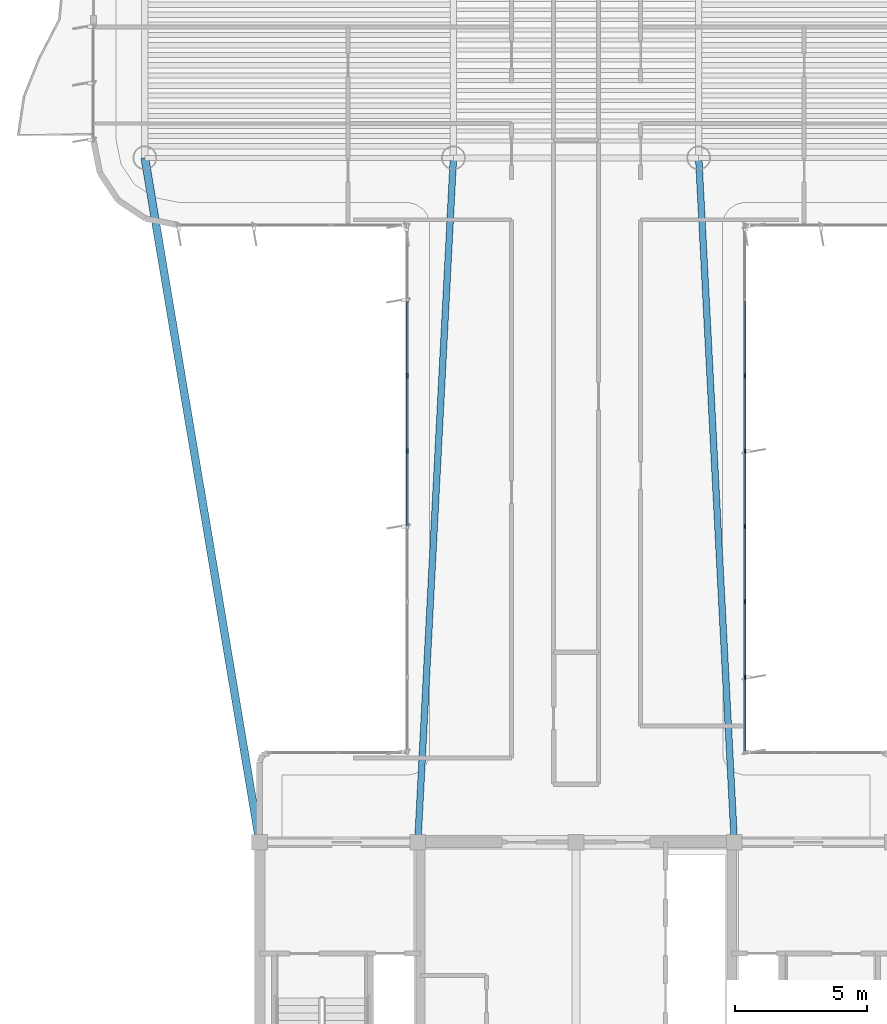
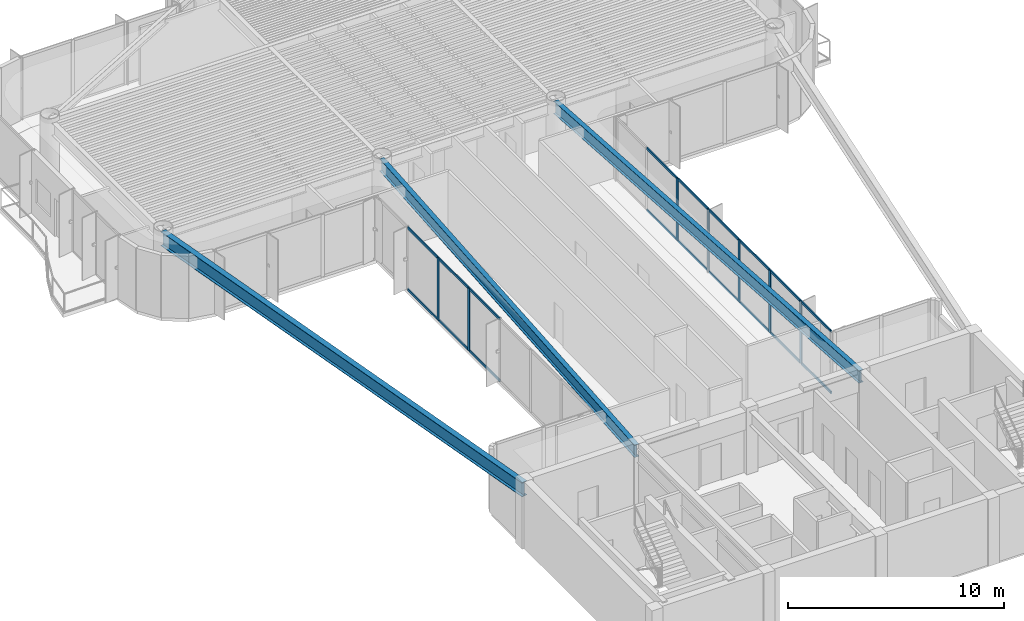
# One storey, part 3 of 15: 25 members, 3 beams, 2 elements without a shape of their own.
"""IFC4 building model written with IfcOpenShell, lengths in metres."""

from ifc_helpers import new_model, si_unit, direction, frame, origin, origin_2d, place, context, subcontext, project, spatial, rectangle, i_section, extrude, source, transform, mapped, material, layer, layer_set, material_profile, profile_set, type_object, element, aggregate, save


model = new_model("IFC4")

# Units and contexts
model_context = context("Model", 3, precision=1e-05, world=origin(), true_north=direction((0.0, 1.0)))
body_context = subcontext(model_context, "Body", "Model", "MODEL_VIEW")
ifc_project = project(units=[si_unit("LENGTHUNIT", "METRE"), si_unit("AREAUNIT", "SQUARE_METRE"), si_unit("VOLUMEUNIT", "CUBIC_METRE"), si_unit("PLANEANGLEUNIT", "RADIAN"), si_unit("MASSUNIT", "GRAM", prefix="KILO")], contexts=[model_context])

# Site, building, storey
site_placement = place(None, origin())
site = spatial("IfcSite", under=ifc_project, at=site_placement, CompositionType="ELEMENT")
building_placement = place(site_placement, origin())
building = spatial("IfcBuilding", under=site, at=building_placement, Name="Brelvock Crest Care Tower", CompositionType="ELEMENT")
storey_placement = place(building_placement, frame((0.0, 0.0, 245.699951171875)))
storey = spatial("IfcBuildingStorey", under=building, at=storey_placement, Name="L62", CompositionType="ELEMENT", Elevation=245.699951171875)

# Beams
ifc_material_1 = material(Name="Steel Grade 350", Category="steel")
ifc_material_profile_1 = material_profile(ifc_material_1, i_section(OverallWidth=0.25, OverallDepth=0.699951171875, WebThickness=0.011962890625, FlangeThickness=0.02001953125, at=origin_2d()), Name="700WB150")
ifc_profile_set_1 = profile_set([ifc_material_profile_1], Name="Steel Grade 350")
beam_type_1 = type_object("IfcBeamType", Name="BM-G4", PredefinedType="BEAM", material=ifc_profile_set_1)
shared_shape_1 = source(origin(), body_context, "Body", "SweptSolid", [
    extrude(i_section(OverallWidth=0.25, OverallDepth=0.699951171875, WebThickness=0.011962890625, FlangeThickness=0.02001953125, at=origin_2d()), origin(), (0.0, 0.0, 1.0), 25.985107421875),
])
for number, where, z_axis, x_axis, name in (
    (1, (30.0, 18.0, 3.179931640625), (0.051956711656, 0.998649337913, 0.0), (-0.998649337913, 0.051956711656, 0.0), "BM-THRW-L62"),
    (2, (42.0, 18.0, 3.179931640625), (-0.051956711656, 0.998649337913, 0.0), (-0.998649337913, -0.051956711656, 0.0), "BM-THRE-L62"),
):
    element("IfcBeam", number, at=place(storey_placement, frame(where, z_axis=z_axis, x_axis=x_axis)), inside=storey, type_object=beam_type_1, Name=name, PredefinedType="BEAM", context=body_context, shape_type="MappedRepresentation", body=[
        mapped(shared_shape_1, transform((0.0, 0.0, 0.0), x_axis=(1.0, 0.0, 0.0), y_axis=(0.0, 1.0, 0.0), z_axis=(0.0, 0.0, 1.0), scale=1.0)),
    ])
ifc_material_profile_2 = material_profile(ifc_material_1, i_section(OverallWidth=0.300048828125, OverallDepth=0.800048828125, WebThickness=0.013916015625, FlangeThickness=0.02197265625, at=origin_2d()), Name="800WB192")
ifc_profile_set_2 = profile_set([ifc_material_profile_2], Name="Steel Grade 350")
beam_type_2 = type_object("IfcBeamType", Name="BM-G5", PredefinedType="BEAM", material=ifc_profile_set_2)
shared_shape_2 = source(origin(), body_context, "Body", "SweptSolid", [
    extrude(i_section(OverallWidth=0.300048828125, OverallDepth=0.800048828125, WebThickness=0.013916015625, FlangeThickness=0.02197265625, at=origin_2d()), origin(), (0.0, 0.0, 1.0), 26.31201171875),
])
beam_placement = place(storey_placement, frame((24.0, 18.0, 3.130126953125), z_axis=(-0.165327282709, 0.986238758918, 0.0), x_axis=(-0.986238758918, -0.165327282709, 0.0)))
element("IfcBeam", 3, at=beam_placement, inside=storey, type_object=beam_type_2, Name="BM-THRO-W-L62", PredefinedType="BEAM", context=body_context, shape_type="MappedRepresentation", body=[
    mapped(shared_shape_2, transform((0.0, 0.0, 0.0), x_axis=(1.0, 0.0, 0.0), y_axis=(0.0, 1.0, 0.0), z_axis=(0.0, 0.0, 1.0), scale=1.0)),
])

# Curtain wall, members
ifc_material_2 = material(Name="Dark Glass Double Glazed Low-E", Category="glass")
ifc_layer = layer(ifc_material_2, 0.239990234375, Name="CWS-5")
ifc_layer_set = layer_set([ifc_layer], Name="Dark Glass Double Glazed Low-E")
curtain_wall_type = type_object("IfcCurtainWallType", Name="CWS-5", PredefinedType="NOTDEFINED", material=ifc_layer_set)
curtain_wall_1_placement = place(storey_placement, origin())
curtain_wall_1 = element("IfcCurtainWall", 4, at=curtain_wall_1_placement, inside=storey, type_object=curtain_wall_type, Name="L62 Curtain Wall E11", PredefinedType="NOTDEFINED")
ifc_material_3 = material(Name="Aluminium 6063-T6", Category="aluminium")
ifc_material_profile_3 = material_profile(ifc_material_3, rectangle(XDim=0.06005859375, YDim=0.179931640625, at=origin_2d()), Name="ALU60x180")
ifc_profile_set_3 = profile_set([ifc_material_profile_3], Name="Aluminium 6063-T6")
member_type_1 = type_object("IfcMemberType", Name="CWM-2", PredefinedType="MULLION", material=ifc_profile_set_3)
shared_shape_3 = source(origin(), body_context, "Body", "SweptSolid", [
    extrude(rectangle(XDim=0.06005859375, YDim=0.179931640625, at=origin_2d()), origin(), (0.0, 0.0, 1.0), 3.530029296875),
])
member_1_placement = place(storey_placement, frame((29.60009765625, 32.82861328125, 0.0), z_axis=(0.0, 0.0, 1.0), x_axis=(-1.0, 0.0, 0.0)))
member_1 = element("IfcMember", 5, at=member_1_placement, type_object=member_type_1, Name="CW-5 mullion 5", PredefinedType="MULLION", context=body_context, shape_type="MappedRepresentation", body=[
    mapped(shared_shape_3, transform((0.0, 0.0, 0.0), x_axis=(1.0, 0.0, 0.0), y_axis=(0.0, 1.0, 0.0), z_axis=(0.0, 0.0, 1.0), scale=1.0)),
])
member_2_placement = place(storey_placement, frame((29.60009765625, 35.685791015625, 0.0), z_axis=(0.0, 0.0, 1.0), x_axis=(-1.0, 0.0, 0.0)))
member_2 = element("IfcMember", 6, at=member_2_placement, type_object=member_type_1, Name="CW-5 mullion 6", PredefinedType="MULLION", context=body_context, shape_type="MappedRepresentation", body=[
    mapped(shared_shape_3, transform((0.0, 0.0, 0.0), x_axis=(1.0, 0.0, 0.0), y_axis=(0.0, 1.0, 0.0), z_axis=(0.0, 0.0, 1.0), scale=1.0)),
])

curtain_wall_2_placement = place(storey_placement, origin())
curtain_wall_2 = element("IfcCurtainWall", 7, at=curtain_wall_2_placement, inside=storey, type_object=curtain_wall_type, Name="L62 Curtain Wall E45", PredefinedType="NOTDEFINED")
member_3_placement = place(storey_placement, frame((42.39990234375, 35.685791015625, 0.0), z_axis=(0.0, 0.0, 1.0), x_axis=(1.0, 0.0, 0.0)))
member_3 = element("IfcMember", 8, at=member_3_placement, type_object=member_type_1, Name="CW-5 mullion 3", PredefinedType="MULLION", context=body_context, shape_type="MappedRepresentation", body=[
    mapped(shared_shape_3, transform((0.0, 0.0, 0.0), x_axis=(1.0, 0.0, 0.0), y_axis=(0.0, 1.0, 0.0), z_axis=(0.0, 0.0, 1.0), scale=1.0)),
])
member_4_placement = place(storey_placement, frame((42.39990234375, 32.82861328125, 0.0), z_axis=(0.0, 0.0, 1.0), x_axis=(1.0, 0.0, 0.0)))
member_4 = element("IfcMember", 9, at=member_4_placement, type_object=member_type_1, Name="CW-5 mullion 4", PredefinedType="MULLION", context=body_context, shape_type="MappedRepresentation", body=[
    mapped(shared_shape_3, transform((0.0, 0.0, 0.0), x_axis=(1.0, 0.0, 0.0), y_axis=(0.0, 1.0, 0.0), z_axis=(0.0, 0.0, 1.0), scale=1.0)),
])
member_5_placement = place(storey_placement, frame((42.39990234375, 29.971435546875, 0.0), z_axis=(0.0, 0.0, 1.0), x_axis=(1.0, 0.0, 0.0)))
member_5 = element("IfcMember", 10, at=member_5_placement, type_object=member_type_1, Name="CW-5 mullion 5", PredefinedType="MULLION", context=body_context, shape_type="MappedRepresentation", body=[
    mapped(shared_shape_3, transform((0.0, 0.0, 0.0), x_axis=(1.0, 0.0, 0.0), y_axis=(0.0, 1.0, 0.0), z_axis=(0.0, 0.0, 1.0), scale=1.0)),
])
member_6_placement = place(storey_placement, frame((42.39990234375, 27.1142578125, 0.0), z_axis=(0.0, 0.0, 1.0), x_axis=(1.0, 0.0, 0.0)))
member_6 = element("IfcMember", 11, at=member_6_placement, type_object=member_type_1, Name="CW-5 mullion 6", PredefinedType="MULLION", context=body_context, shape_type="MappedRepresentation", body=[
    mapped(shared_shape_3, transform((0.0, 0.0, 0.0), x_axis=(1.0, 0.0, 0.0), y_axis=(0.0, 1.0, 0.0), z_axis=(0.0, 0.0, 1.0), scale=1.0)),
])
member_7_placement = place(storey_placement, frame((42.39990234375, 24.257080078125, 0.0), z_axis=(0.0, 0.0, 1.0), x_axis=(1.0, 0.0, 0.0)))
member_7 = element("IfcMember", 12, at=member_7_placement, type_object=member_type_1, Name="CW-5 mullion 7", PredefinedType="MULLION", context=body_context, shape_type="MappedRepresentation", body=[
    mapped(shared_shape_3, transform((0.0, 0.0, 0.0), x_axis=(1.0, 0.0, 0.0), y_axis=(0.0, 1.0, 0.0), z_axis=(0.0, 0.0, 1.0), scale=1.0)),
])
ifc_material_profile_4 = material_profile(ifc_material_3, rectangle(XDim=0.06005859375, YDim=0.139892578125, at=origin_2d()), Name="ALU60x140")
ifc_profile_set_4 = profile_set([ifc_material_profile_4], Name="Aluminium 6063-T6")
member_type_2 = type_object("IfcMemberType", Name="CWT-2", PredefinedType="USERDEFINED", material=ifc_profile_set_4)
shared_shape_4 = source(origin(), body_context, "Body", "SweptSolid", [
    extrude(rectangle(XDim=0.06005859375, YDim=0.139892578125, at=origin_2d()), origin(), (0.0, 0.0, 1.0), 2.76708984375),
])
member_8_placement = place(storey_placement, frame((42.39990234375, 24.22705078125, 0.030029296875), z_axis=(0.0, -1.0, 0.0), x_axis=(1.0, 0.0, 0.0)))
member_8 = element("IfcMember", 13, at=member_8_placement, type_object=member_type_2, Name="CW-5 transom 7.1", ObjectType="TRANSOM", PredefinedType="USERDEFINED", context=body_context, shape_type="MappedRepresentation", body=[
    mapped(shared_shape_4, transform((0.0, 0.0, 0.0), x_axis=(1.0, 0.0, 0.0), y_axis=(0.0, 1.0, 0.0), z_axis=(0.0, 0.0, 1.0), scale=1.0)),
])
member_9_placement = place(storey_placement, frame((42.39990234375, 24.22705078125, 3.5), z_axis=(0.0, -1.0, 0.0), x_axis=(1.0, 0.0, 0.0)))
member_9 = element("IfcMember", 14, at=member_9_placement, type_object=member_type_2, Name="CW-5 transom 7.2", ObjectType="TRANSOM", PredefinedType="USERDEFINED", context=body_context, shape_type="MappedRepresentation", body=[
    mapped(shared_shape_4, transform((0.0, 0.0, 0.0), x_axis=(1.0, 0.0, 0.0), y_axis=(0.0, 1.0, 0.0), z_axis=(0.0, 0.0, 1.0), scale=1.0)),
])

# Member
shared_shape_5 = source(origin(), body_context, "Body", "SweptSolid", [
    extrude(rectangle(XDim=0.06005859375, YDim=0.139892578125, at=origin_2d()), origin(), (0.0, 0.0, 1.0), 2.797119140625),
])
member_10_placement = place(storey_placement, frame((29.60009765625, 30.00146484375, 0.030029296875), z_axis=(0.0, 1.0, 0.0), x_axis=(-1.0, 0.0, 0.0)))
member_10 = element("IfcMember", 15, at=member_10_placement, type_object=member_type_2, Name="CW-5 transom 4.1", ObjectType="TRANSOM", PredefinedType="USERDEFINED", context=body_context, shape_type="MappedRepresentation", body=[
    mapped(shared_shape_5, transform((0.0, 0.0, 0.0), x_axis=(1.0, 0.0, 0.0), y_axis=(0.0, 1.0, 0.0), z_axis=(0.0, 0.0, 1.0), scale=1.0)),
])

member_11_placement = place(storey_placement, frame((29.60009765625, 30.00146484375, 3.5), z_axis=(0.0, 1.0, 0.0), x_axis=(-1.0, 0.0, 0.0)))
member_11 = element("IfcMember", 16, at=member_11_placement, type_object=member_type_2, Name="CW-5 transom 4.2", ObjectType="TRANSOM", PredefinedType="USERDEFINED", context=body_context, shape_type="MappedRepresentation", body=[
    mapped(shared_shape_5, transform((0.0, 0.0, 0.0), x_axis=(1.0, 0.0, 0.0), y_axis=(0.0, 1.0, 0.0), z_axis=(0.0, 0.0, 1.0), scale=1.0)),
])

member_12_placement = place(storey_placement, frame((29.60009765625, 32.858642578125, 0.030029296875), z_axis=(0.0, 1.0, 0.0), x_axis=(-1.0, 0.0, 0.0)))
member_12 = element("IfcMember", 17, at=member_12_placement, type_object=member_type_2, Name="CW-5 transom 5.1", ObjectType="TRANSOM", PredefinedType="USERDEFINED", context=body_context, shape_type="MappedRepresentation", body=[
    mapped(shared_shape_5, transform((0.0, 0.0, 0.0), x_axis=(1.0, 0.0, 0.0), y_axis=(0.0, 1.0, 0.0), z_axis=(0.0, 0.0, 1.0), scale=1.0)),
])

member_13_placement = place(storey_placement, frame((29.60009765625, 32.858642578125, 3.5), z_axis=(0.0, 1.0, 0.0), x_axis=(-1.0, 0.0, 0.0)))
member_13 = element("IfcMember", 18, at=member_13_placement, type_object=member_type_2, Name="CW-5 transom 5.2", ObjectType="TRANSOM", PredefinedType="USERDEFINED", context=body_context, shape_type="MappedRepresentation", body=[
    mapped(shared_shape_5, transform((0.0, 0.0, 0.0), x_axis=(1.0, 0.0, 0.0), y_axis=(0.0, 1.0, 0.0), z_axis=(0.0, 0.0, 1.0), scale=1.0)),
])

member_14_placement = place(storey_placement, frame((29.60009765625, 35.7158203125, 0.030029296875), z_axis=(0.0, 1.0, 0.0), x_axis=(-1.0, 0.0, 0.0)))
member_14 = element("IfcMember", 19, at=member_14_placement, type_object=member_type_2, Name="CW-5 transom 6.1", ObjectType="TRANSOM", PredefinedType="USERDEFINED", context=body_context, shape_type="MappedRepresentation", body=[
    mapped(shared_shape_5, transform((0.0, 0.0, 0.0), x_axis=(1.0, 0.0, 0.0), y_axis=(0.0, 1.0, 0.0), z_axis=(0.0, 0.0, 1.0), scale=1.0)),
])

member_15_placement = place(storey_placement, frame((29.60009765625, 35.7158203125, 3.5), z_axis=(0.0, 1.0, 0.0), x_axis=(-1.0, 0.0, 0.0)))
member_15 = element("IfcMember", 20, at=member_15_placement, type_object=member_type_2, Name="CW-5 transom 6.2", ObjectType="TRANSOM", PredefinedType="USERDEFINED", context=body_context, shape_type="MappedRepresentation", body=[
    mapped(shared_shape_5, transform((0.0, 0.0, 0.0), x_axis=(1.0, 0.0, 0.0), y_axis=(0.0, 1.0, 0.0), z_axis=(0.0, 0.0, 1.0), scale=1.0)),
])

aggregate(curtain_wall_1, [member_1, member_2, member_10, member_11, member_12, member_13, member_14, member_15])

member_16_placement = place(storey_placement, frame((42.39990234375, 38.512939453125, 0.030029296875), z_axis=(0.0, -1.0, 0.0), x_axis=(1.0, 0.0, 0.0)))
member_16 = element("IfcMember", 21, at=member_16_placement, type_object=member_type_2, Name="CW-5 transom 2.1", ObjectType="TRANSOM", PredefinedType="USERDEFINED", context=body_context, shape_type="MappedRepresentation", body=[
    mapped(shared_shape_5, transform((0.0, 0.0, 0.0), x_axis=(1.0, 0.0, 0.0), y_axis=(0.0, 1.0, 0.0), z_axis=(0.0, 0.0, 1.0), scale=1.0)),
])

member_17_placement = place(storey_placement, frame((42.39990234375, 38.512939453125, 3.5), z_axis=(0.0, -1.0, 0.0), x_axis=(1.0, 0.0, 0.0)))
member_17 = element("IfcMember", 22, at=member_17_placement, type_object=member_type_2, Name="CW-5 transom 2.2", ObjectType="TRANSOM", PredefinedType="USERDEFINED", context=body_context, shape_type="MappedRepresentation", body=[
    mapped(shared_shape_5, transform((0.0, 0.0, 0.0), x_axis=(1.0, 0.0, 0.0), y_axis=(0.0, 1.0, 0.0), z_axis=(0.0, 0.0, 1.0), scale=1.0)),
])

member_18_placement = place(storey_placement, frame((42.39990234375, 35.65576171875, 0.030029296875), z_axis=(0.0, -1.0, 0.0), x_axis=(1.0, 0.0, 0.0)))
member_18 = element("IfcMember", 23, at=member_18_placement, type_object=member_type_2, Name="CW-5 transom 3.1", ObjectType="TRANSOM", PredefinedType="USERDEFINED", context=body_context, shape_type="MappedRepresentation", body=[
    mapped(shared_shape_5, transform((0.0, 0.0, 0.0), x_axis=(1.0, 0.0, 0.0), y_axis=(0.0, 1.0, 0.0), z_axis=(0.0, 0.0, 1.0), scale=1.0)),
])

member_19_placement = place(storey_placement, frame((42.39990234375, 35.65576171875, 3.5), z_axis=(0.0, -1.0, 0.0), x_axis=(1.0, 0.0, 0.0)))
member_19 = element("IfcMember", 24, at=member_19_placement, type_object=member_type_2, Name="CW-5 transom 3.2", ObjectType="TRANSOM", PredefinedType="USERDEFINED", context=body_context, shape_type="MappedRepresentation", body=[
    mapped(shared_shape_5, transform((0.0, 0.0, 0.0), x_axis=(1.0, 0.0, 0.0), y_axis=(0.0, 1.0, 0.0), z_axis=(0.0, 0.0, 1.0), scale=1.0)),
])

member_20_placement = place(storey_placement, frame((42.39990234375, 32.798583984375, 0.030029296875), z_axis=(0.0, -1.0, 0.0), x_axis=(1.0, 0.0, 0.0)))
member_20 = element("IfcMember", 25, at=member_20_placement, type_object=member_type_2, Name="CW-5 transom 4.1", ObjectType="TRANSOM", PredefinedType="USERDEFINED", context=body_context, shape_type="MappedRepresentation", body=[
    mapped(shared_shape_5, transform((0.0, 0.0, 0.0), x_axis=(1.0, 0.0, 0.0), y_axis=(0.0, 1.0, 0.0), z_axis=(0.0, 0.0, 1.0), scale=1.0)),
])

member_21_placement = place(storey_placement, frame((42.39990234375, 32.798583984375, 3.5), z_axis=(0.0, -1.0, 0.0), x_axis=(1.0, 0.0, 0.0)))
member_21 = element("IfcMember", 26, at=member_21_placement, type_object=member_type_2, Name="CW-5 transom 4.2", ObjectType="TRANSOM", PredefinedType="USERDEFINED", context=body_context, shape_type="MappedRepresentation", body=[
    mapped(shared_shape_5, transform((0.0, 0.0, 0.0), x_axis=(1.0, 0.0, 0.0), y_axis=(0.0, 1.0, 0.0), z_axis=(0.0, 0.0, 1.0), scale=1.0)),
])

member_22_placement = place(storey_placement, frame((42.39990234375, 29.94140625, 0.030029296875), z_axis=(0.0, -1.0, 0.0), x_axis=(1.0, 0.0, 0.0)))
member_22 = element("IfcMember", 27, at=member_22_placement, type_object=member_type_2, Name="CW-5 transom 5.1", ObjectType="TRANSOM", PredefinedType="USERDEFINED", context=body_context, shape_type="MappedRepresentation", body=[
    mapped(shared_shape_5, transform((0.0, 0.0, 0.0), x_axis=(1.0, 0.0, 0.0), y_axis=(0.0, 1.0, 0.0), z_axis=(0.0, 0.0, 1.0), scale=1.0)),
])

member_23_placement = place(storey_placement, frame((42.39990234375, 29.94140625, 3.5), z_axis=(0.0, -1.0, 0.0), x_axis=(1.0, 0.0, 0.0)))
member_23 = element("IfcMember", 28, at=member_23_placement, type_object=member_type_2, Name="CW-5 transom 5.2", ObjectType="TRANSOM", PredefinedType="USERDEFINED", context=body_context, shape_type="MappedRepresentation", body=[
    mapped(shared_shape_5, transform((0.0, 0.0, 0.0), x_axis=(1.0, 0.0, 0.0), y_axis=(0.0, 1.0, 0.0), z_axis=(0.0, 0.0, 1.0), scale=1.0)),
])

member_24_placement = place(storey_placement, frame((42.39990234375, 27.084228515625, 0.030029296875), z_axis=(0.0, -1.0, 0.0), x_axis=(1.0, 0.0, 0.0)))
member_24 = element("IfcMember", 29, at=member_24_placement, type_object=member_type_2, Name="CW-5 transom 6.1", ObjectType="TRANSOM", PredefinedType="USERDEFINED", context=body_context, shape_type="MappedRepresentation", body=[
    mapped(shared_shape_5, transform((0.0, 0.0, 0.0), x_axis=(1.0, 0.0, 0.0), y_axis=(0.0, 1.0, 0.0), z_axis=(0.0, 0.0, 1.0), scale=1.0)),
])

member_25_placement = place(storey_placement, frame((42.39990234375, 27.084228515625, 3.5), z_axis=(0.0, -1.0, 0.0), x_axis=(1.0, 0.0, 0.0)))
member_25 = element("IfcMember", 30, at=member_25_placement, type_object=member_type_2, Name="CW-5 transom 6.2", ObjectType="TRANSOM", PredefinedType="USERDEFINED", context=body_context, shape_type="MappedRepresentation", body=[
    mapped(shared_shape_5, transform((0.0, 0.0, 0.0), x_axis=(1.0, 0.0, 0.0), y_axis=(0.0, 1.0, 0.0), z_axis=(0.0, 0.0, 1.0), scale=1.0)),
])

aggregate(curtain_wall_2, [member_3, member_4, member_5, member_6, member_7, member_16, member_17, member_18, member_19, member_20, member_21, member_22, member_23, member_24, member_25, member_8, member_9])

save(model, "model.ifc")
